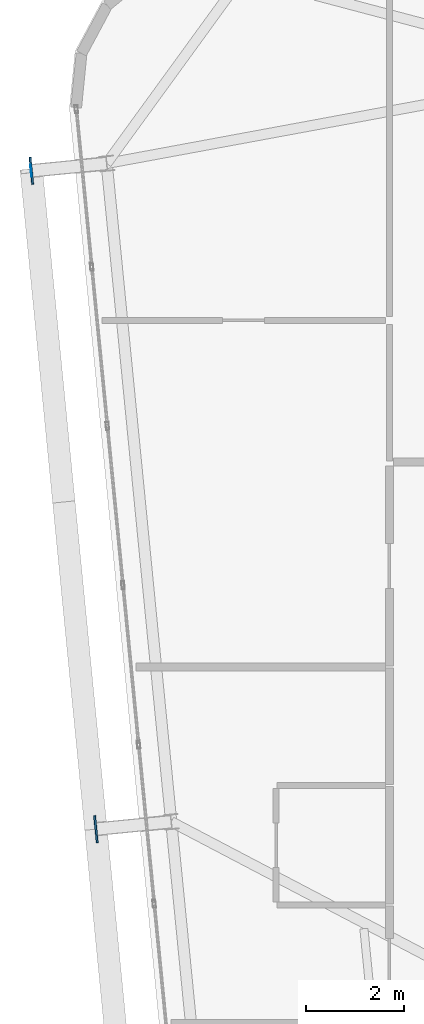
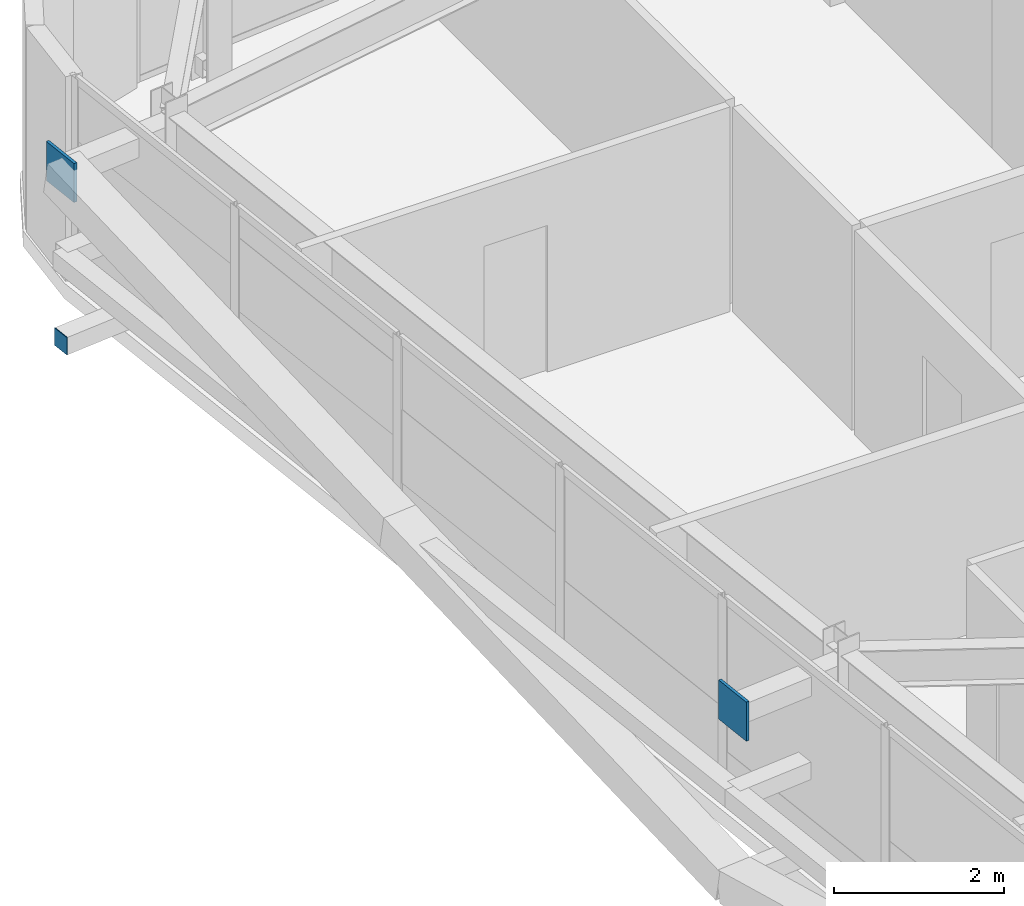
# One storey, part 40 of 54: 3 plates.
"""IFC4 building model written with IfcOpenShell, lengths in metres."""

from ifc_helpers import new_model, si_unit, direction, frame, origin, origin_2d, place, context, subcontext, project, spatial, rectangle, extrude, source, transform, mapped, material, layer, layer_set, type_object, element, save


model = new_model("IFC4")

# Units and contexts
model_context = context("Model", 3, precision=1e-05, world=origin(), true_north=direction((0.0, 1.0)))
body_context = subcontext(model_context, "Body", "Model", "MODEL_VIEW")
ifc_project = project(units=[si_unit("LENGTHUNIT", "METRE"), si_unit("AREAUNIT", "SQUARE_METRE"), si_unit("VOLUMEUNIT", "CUBIC_METRE"), si_unit("PLANEANGLEUNIT", "RADIAN"), si_unit("MASSUNIT", "GRAM", prefix="KILO")], contexts=[model_context])

# Site, building, storey
site_placement = place(None, origin())
site = spatial("IfcSite", under=ifc_project, at=site_placement, CompositionType="ELEMENT")
building_placement = place(site_placement, origin())
building = spatial("IfcBuilding", under=site, at=building_placement, Name="Taldren Reach Tower", CompositionType="ELEMENT")
storey_placement = place(building_placement, frame((0.0, 0.0, 102.89990234375)))
storey = spatial("IfcBuildingStorey", under=building, at=storey_placement, Name="L31", CompositionType="ELEMENT", Elevation=102.89990234375)

# Plates
ifc_material_1 = material(Name="Steel Gr 450 (C450L0)", Category="steel")
ifc_layer_1 = layer(ifc_material_1, 0.0400390625)
ifc_layer_set_1 = layer_set([ifc_layer_1], Name="Steel Gr 450 (C450L0)")
plate_type_1 = type_object("IfcPlateType", Name="PL-GUSSET-40", PredefinedType="SHEET", material=ifc_layer_set_1)
shared_shape_1 = source(origin(), body_context, "Body", "SweptSolid", [
    extrude(rectangle(XDim=0.56005859375, YDim=0.0400390625, at=origin_2d()), origin(), (0.0, 0.0, 1.0), 0.56005859375),
])
for number, where, z_axis, x_axis, name in (
    (1, (8.587890625, 16.479736328125, 2.3701171875), (0.0, 0.0, 1.0), (-0.097582899759, 0.995227399982, 0.0), "Exoskeleton star-node gusset plate B2-W2 L31"),
    (2, (7.265625, 29.965087890625, 2.3701171875), (0.0, 0.0, 1.0), (-0.097582899759, 0.995227399982, 0.0), "Exoskeleton star-node gusset plate B2-W3 L31"),
):
    element("IfcPlate", number, at=place(storey_placement, frame(where, z_axis=z_axis, x_axis=x_axis)), inside=storey, type_object=plate_type_1, Name=name, PredefinedType="SHEET", context=body_context, shape_type="MappedRepresentation", body=[
        mapped(shared_shape_1, transform((0.0, 0.0, 0.0), scale=1.0)),
    ])
ifc_material_2 = material(Name="Steel Gr 350 (C350L0)", Category="steel")
ifc_layer_2 = layer(ifc_material_2, 0.011962890625)
ifc_layer_set_2 = layer_set([ifc_layer_2], Name="Steel Gr 350 (C350L0)")
plate_type_2 = type_object("IfcPlateType", Name="PL-CAP-250", PredefinedType="SHEET", material=ifc_layer_set_2)
shared_shape_2 = source(origin(), body_context, "Body", "SweptSolid", [
    extrude(rectangle(XDim=0.011962890625, YDim=0.25, at=origin_2d()), origin(), (0.0, 0.0, 1.0), 0.25),
])
plate_placement = place(storey_placement, frame((7.259765625, 29.964599609375, 0.09521484375), z_axis=(0.0, 0.0, 1.0), x_axis=(0.995227399982, 0.097582899759, 0.0)))
element("IfcPlate", 3, at=plate_placement, inside=storey, type_object=plate_type_2, Name="Tie strut end cap plate B2-W3 L31", PredefinedType="SHEET", context=body_context, shape_type="MappedRepresentation", body=[
    mapped(shared_shape_2, transform((0.0, 0.0, 0.0), scale=1.0)),
])

save(model, "model.ifc")
